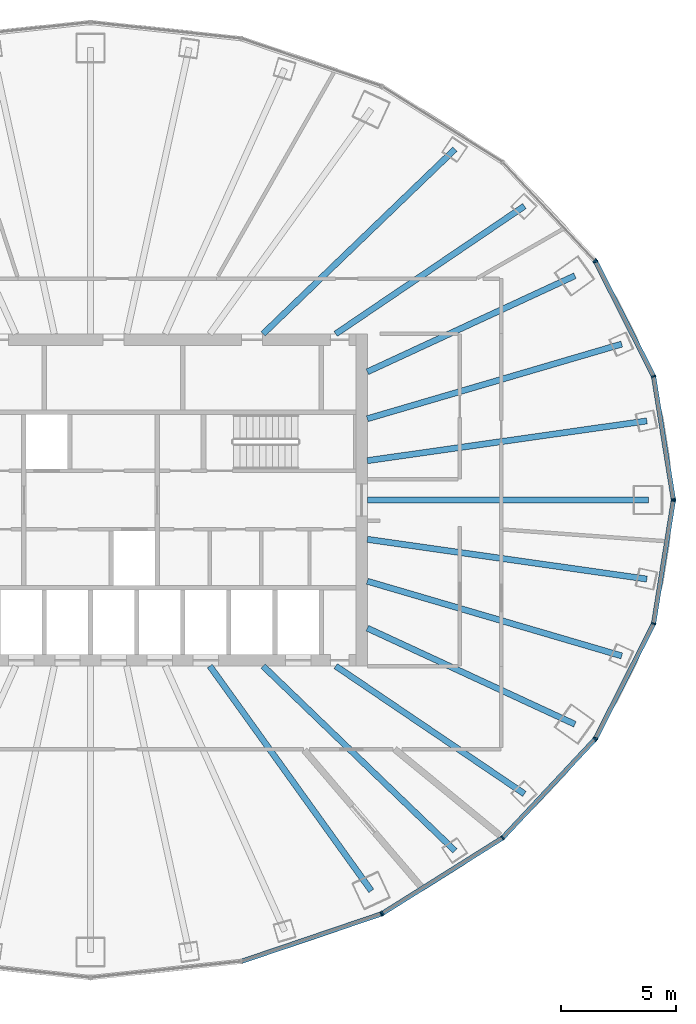
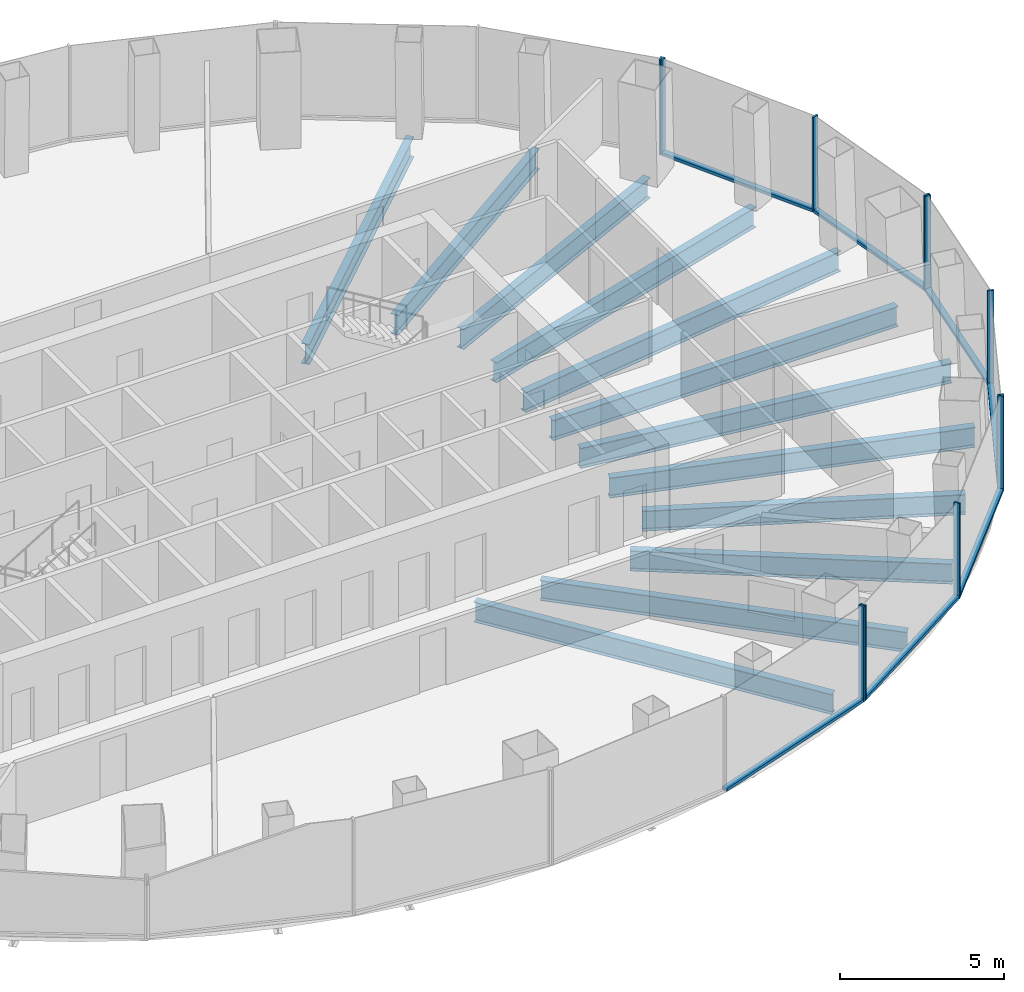
# One storey, part 4 of 11: 18 members, 12 beams, 5 elements without a shape of their own.
"""IFC4 building model written with IfcOpenShell, lengths in metres."""

from ifc_helpers import new_model, si_unit, direction, frame, origin, origin_2d, place, context, subcontext, project, spatial, rectangle, i_section, extrude, material, layer, layer_set, material_profile, profile_set, type_object, element, aggregate, save


model = new_model("IFC4")

# Units and contexts
model_context = context("Model", 3, precision=1e-05, world=origin(), true_north=direction((0.0, 1.0)))
body_context = subcontext(model_context, "Body", "Model", "MODEL_VIEW")
ifc_project = project(units=[si_unit("LENGTHUNIT", "METRE"), si_unit("AREAUNIT", "SQUARE_METRE"), si_unit("VOLUMEUNIT", "CUBIC_METRE"), si_unit("PLANEANGLEUNIT", "RADIAN"), si_unit("MASSUNIT", "GRAM", prefix="KILO")], contexts=[model_context])

# Site, building, storey
site_placement = place(None, origin())
site = spatial("IfcSite", under=ifc_project, at=site_placement, CompositionType="ELEMENT")
building_placement = place(site_placement, origin())
building = spatial("IfcBuilding", under=site, at=building_placement, Name="Siaravel Broadcast Tower", CompositionType="ELEMENT")
storey_placement = place(building_placement, frame((0.0, 0.0, 123.0)))
storey = spatial("IfcBuildingStorey", under=building, at=storey_placement, Name="L29", CompositionType="ELEMENT", Elevation=123.0)

# Beams
ifc_material_1 = material(Name="Steel S355", Category="steel")
ifc_material_profile_1 = material_profile(ifc_material_1, i_section(OverallWidth=0.26513671875, OverallDepth=0.75390625, WebThickness=0.0126953125, FlangeThickness=0.017578125, FilletRadius=0.0166015625, at=origin_2d()))
ifc_profile_set_1 = profile_set([ifc_material_profile_1], Name="Steel S355")
beam_type = type_object("IfcBeamType", Name="BM-UB 762x267x147", PredefinedType="BEAM", material=ifc_profile_set_1)
beam_1_placement = place(storey_placement, frame((24.185302734375, 0.0, -0.52685546875), z_axis=(-1.0, 0.0, 0.0), x_axis=(0.0, -1.0, 0.0)))
element("IfcBeam", 1, at=beam_1_placement, inside=storey, type_object=beam_type, Name="Radial beam RB01", PredefinedType="BEAM", context=body_context, shape_type="SweptSolid", body=[
    extrude(i_section(OverallWidth=0.26513671875, OverallDepth=0.75390625, WebThickness=0.0126953125, FlangeThickness=0.017578125, FilletRadius=0.0166015625, at=origin_2d()), origin(), (0.0, 0.0, 1.0), 12.185302734375),
])
beam_2_placement = place(storey_placement, frame((24.118896484375, 3.427978515625, -0.52685546875), z_axis=(-0.99005056, -0.140712075, 0.0), x_axis=(0.140712075, -0.99005056, 0.0)))
element("IfcBeam", 2, at=beam_2_placement, inside=storey, type_object=beam_type, Name="Radial beam RB02", PredefinedType="BEAM", context=body_context, shape_type="SweptSolid", body=[
    extrude(i_section(OverallWidth=0.26513671875, OverallDepth=0.75390625, WebThickness=0.0126953125, FlangeThickness=0.017578125, FilletRadius=0.0166015625, at=origin_2d()), origin(), (0.0, 0.0, 1.0), 12.24072265625),
])
beam_3_placement = place(storey_placement, frame((23.029296875, 6.7587890625, -0.52685546875), z_axis=(-0.959532411, -0.281598209, 0.0), x_axis=(0.281598209, -0.959532411, 0.0)))
element("IfcBeam", 3, at=beam_3_placement, inside=storey, type_object=beam_type, Name="Radial beam RB03", PredefinedType="BEAM", context=body_context, shape_type="SweptSolid", body=[
    extrude(i_section(OverallWidth=0.26513671875, OverallDepth=0.75390625, WebThickness=0.0126953125, FlangeThickness=0.017578125, FilletRadius=0.0166015625, at=origin_2d()), origin(), (0.0, 0.0, 1.0), 11.494384765625),
])
beam_4_placement = place(storey_placement, frame((20.99853515625, 9.721923828125, -0.52685546875), z_axis=(-0.907465864, -0.420125821, 0.0), x_axis=(0.420125821, -0.907465864, 0.0)))
element("IfcBeam", 4, at=beam_4_placement, inside=storey, type_object=beam_type, Name="Radial beam RB04", PredefinedType="BEAM", context=body_context, shape_type="SweptSolid", body=[
    extrude(i_section(OverallWidth=0.26513671875, OverallDepth=0.75390625, WebThickness=0.0126953125, FlangeThickness=0.017578125, FilletRadius=0.0166015625, at=origin_2d()), origin(), (0.0, 0.0, 1.0), 9.916015625),
])
beam_5_placement = place(storey_placement, frame((18.810791015625, 12.740478515625, -0.52685546875), z_axis=(-0.827967914, -0.560775475, 0.0), x_axis=(0.560775475, -0.827967914, 0.0)))
element("IfcBeam", 5, at=beam_5_placement, inside=storey, type_object=beam_type, Name="Radial beam RB05", PredefinedType="BEAM", context=body_context, shape_type="SweptSolid", body=[
    extrude(i_section(OverallWidth=0.26513671875, OverallDepth=0.75390625, WebThickness=0.0126953125, FlangeThickness=0.017578125, FilletRadius=0.0166015625, at=origin_2d()), origin(), (0.0, 0.0, 1.0), 9.880126953125),
])
beam_6_placement = place(storey_placement, frame((15.7998046875, 15.20654296875, -0.52685546875), z_axis=(-0.720499795, -0.69345515, 0.0), x_axis=(0.69345515, -0.720499795, 0.0)))
element("IfcBeam", 6, at=beam_6_placement, inside=storey, type_object=beam_type, Name="Radial beam RB06", PredefinedType="BEAM", context=body_context, shape_type="SweptSolid", body=[
    extrude(i_section(OverallWidth=0.26513671875, OverallDepth=0.75390625, WebThickness=0.0126953125, FlangeThickness=0.017578125, FilletRadius=0.0166015625, at=origin_2d()), origin(), (0.0, 0.0, 1.0), 11.5458984375),
])
beam_7_placement = place(storey_placement, frame((12.17236328125, -16.942138671875, -0.52685546875), z_axis=(-0.583488425, 0.812121455, 0.0), x_axis=(-0.812121455, -0.583488425, 0.0)))
element("IfcBeam", 7, at=beam_7_placement, inside=storey, type_object=beam_type, Name="Radial beam RB31", PredefinedType="BEAM", context=body_context, shape_type="SweptSolid", body=[
    extrude(i_section(OverallWidth=0.26513671875, OverallDepth=0.75390625, WebThickness=0.0126953125, FlangeThickness=0.017578125, FilletRadius=0.0166015625, at=origin_2d()), origin(), (0.0, 0.0, 1.0), 11.99609375),
])
beam_8_placement = place(storey_placement, frame((15.7998046875, -15.20654296875, -0.52685546875), z_axis=(-0.720499795, 0.69345515, 0.0), x_axis=(-0.69345515, -0.720499795, 0.0)))
element("IfcBeam", 8, at=beam_8_placement, inside=storey, type_object=beam_type, Name="Radial beam RB32", PredefinedType="BEAM", context=body_context, shape_type="SweptSolid", body=[
    extrude(i_section(OverallWidth=0.26513671875, OverallDepth=0.75390625, WebThickness=0.0126953125, FlangeThickness=0.017578125, FilletRadius=0.0166015625, at=origin_2d()), origin(), (0.0, 0.0, 1.0), 11.5458984375),
])
beam_9_placement = place(storey_placement, frame((18.810791015625, -12.740478515625, -0.52685546875), z_axis=(-0.827967914, 0.560775475, 0.0), x_axis=(-0.560775475, -0.827967914, 0.0)))
element("IfcBeam", 9, at=beam_9_placement, inside=storey, type_object=beam_type, Name="Radial beam RB33", PredefinedType="BEAM", context=body_context, shape_type="SweptSolid", body=[
    extrude(i_section(OverallWidth=0.26513671875, OverallDepth=0.75390625, WebThickness=0.0126953125, FlangeThickness=0.017578125, FilletRadius=0.0166015625, at=origin_2d()), origin(), (0.0, 0.0, 1.0), 9.880126953125),
])
beam_10_placement = place(storey_placement, frame((20.99853515625, -9.721923828125, -0.52685546875), z_axis=(-0.907465864, 0.420125821, 0.0), x_axis=(-0.420125821, -0.907465864, 0.0)))
element("IfcBeam", 10, at=beam_10_placement, inside=storey, type_object=beam_type, Name="Radial beam RB34", PredefinedType="BEAM", context=body_context, shape_type="SweptSolid", body=[
    extrude(i_section(OverallWidth=0.26513671875, OverallDepth=0.75390625, WebThickness=0.0126953125, FlangeThickness=0.017578125, FilletRadius=0.0166015625, at=origin_2d()), origin(), (0.0, 0.0, 1.0), 9.916015625),
])
beam_11_placement = place(storey_placement, frame((23.029296875, -6.7587890625, -0.52685546875), z_axis=(-0.959532411, 0.281598209, 0.0), x_axis=(-0.281598209, -0.959532411, 0.0)))
element("IfcBeam", 11, at=beam_11_placement, inside=storey, type_object=beam_type, Name="Radial beam RB35", PredefinedType="BEAM", context=body_context, shape_type="SweptSolid", body=[
    extrude(i_section(OverallWidth=0.26513671875, OverallDepth=0.75390625, WebThickness=0.0126953125, FlangeThickness=0.017578125, FilletRadius=0.0166015625, at=origin_2d()), origin(), (0.0, 0.0, 1.0), 11.494384765625),
])
beam_12_placement = place(storey_placement, frame((24.118896484375, -3.427978515625, -0.52685546875), z_axis=(-0.99005056, 0.140712075, 0.0), x_axis=(-0.140712075, -0.99005056, 0.0)))
element("IfcBeam", 12, at=beam_12_placement, inside=storey, type_object=beam_type, Name="Radial beam RB36", PredefinedType="BEAM", context=body_context, shape_type="SweptSolid", body=[
    extrude(i_section(OverallWidth=0.26513671875, OverallDepth=0.75390625, WebThickness=0.0126953125, FlangeThickness=0.017578125, FilletRadius=0.0166015625, at=origin_2d()), origin(), (0.0, 0.0, 1.0), 12.24072265625),
])

# Curtain wall, members
ifc_material_2 = material(Name="Aluminium 6063-T6", Category="aluminium")
ifc_layer = layer(ifc_material_2, 0.199951171875)
ifc_layer_set = layer_set([ifc_layer], Name="Aluminium 6063-T6")
curtain_wall_type = type_object("IfcCurtainWallType", Name="Unitised curtain wall, zone 2", PredefinedType="NOTDEFINED", material=ifc_layer_set)
curtain_wall_1_placement = place(storey_placement, origin())
curtain_wall_1 = element("IfcCurtainWall", 13, at=curtain_wall_1_placement, inside=storey, type_object=curtain_wall_type, Name="L29 Unitised curtain wall, zone 2 01", PredefinedType="NOTDEFINED")
ifc_material_profile_2 = material_profile(ifc_material_2, rectangle(XDim=0.199951171875, YDim=0.06494140625, at=origin_2d()))
ifc_profile_set_2 = profile_set([ifc_material_profile_2], Name="Aluminium 6063-T6")
member_type_1 = type_object("IfcMemberType", Name="CW-Z2 mullion", PredefinedType="MULLION", material=ifc_profile_set_2)
member_1_placement = place(storey_placement, frame((25.265869140625, 0.031982421875, 0.0), z_axis=(0.0, 0.0, 1.0), x_axis=(-0.987329163, -0.158685611, 0.0)))
member_1 = element("IfcMember", 14, at=member_1_placement, type_object=member_type_1, Name="CW-Z2 mullion 1", PredefinedType="MULLION", context=body_context, shape_type="SweptSolid", body=[
    extrude(rectangle(XDim=0.199951171875, YDim=0.06494140625, at=origin_2d()), origin(), (0.0, 0.0, 1.0), 3.550048828125),
])
member_2_placement = place(storey_placement, frame((24.4091796875, 5.362548828125, 0.0), z_axis=(0.0, 0.0, 1.0), x_axis=(-0.951177162, -0.308645439, 0.0)))
member_2 = element("IfcMember", 15, at=member_2_placement, type_object=member_type_1, Name="CW-Z2 mullion 2", PredefinedType="MULLION", context=body_context, shape_type="SweptSolid", body=[
    extrude(rectangle(XDim=0.199951171875, YDim=0.06494140625, at=origin_2d()), origin(), (0.0, 0.0, 1.0), 3.550048828125),
])
member_3_placement = place(storey_placement, frame((21.897705078125, 10.329345703125, 0.0), z_axis=(0.0, 0.0, 1.0), x_axis=(-0.892391979, -0.451261073, 0.0)))
member_3 = element("IfcMember", 16, at=member_3_placement, type_object=member_type_1, Name="CW-Z2 mullion 3", PredefinedType="MULLION", context=body_context, shape_type="SweptSolid", body=[
    extrude(rectangle(XDim=0.199951171875, YDim=0.06494140625, at=origin_2d()), origin(), (0.0, 0.0, 1.0), 3.550048828125),
])

# Curtain wall, member
curtain_wall_2_placement = place(storey_placement, origin())
curtain_wall_2 = element("IfcCurtainWall", 17, at=curtain_wall_2_placement, inside=storey, type_object=curtain_wall_type, Name="L29 Unitised curtain wall, zone 2 02", PredefinedType="NOTDEFINED")
member_4_placement = place(storey_placement, frame((21.86083984375, 10.382080078125, 0.0), z_axis=(0.0, 0.0, 1.0), x_axis=(-0.729805105, -0.683655256, 0.0)))
member_4 = element("IfcMember", 18, at=member_4_placement, type_object=member_type_1, Name="CW-Z2 mullion 1", PredefinedType="MULLION", context=body_context, shape_type="SweptSolid", body=[
    extrude(rectangle(XDim=0.199951171875, YDim=0.06494140625, at=origin_2d()), origin(), (0.0, 0.0, 1.0), 3.550048828125),
])
aggregate(curtain_wall_2, [member_4])

curtain_wall_3_placement = place(storey_placement, origin())
curtain_wall_3 = element("IfcCurtainWall", 19, at=curtain_wall_3_placement, inside=storey, type_object=curtain_wall_type, Name="L29 Unitised curtain wall, zone 2 10", PredefinedType="NOTDEFINED")
member_5_placement = place(storey_placement, frame((12.60107421875, -17.94677734375, 0.0), z_axis=(0.0, 0.0, 1.0), x_axis=(-0.321300596, 0.946977258, 0.0)))
member_5 = element("IfcMember", 20, at=member_5_placement, type_object=member_type_1, Name="CW-Z2 mullion 3", PredefinedType="MULLION", context=body_context, shape_type="SweptSolid", body=[
    extrude(rectangle(XDim=0.199951171875, YDim=0.06494140625, at=origin_2d()), origin(), (0.0, 0.0, 1.0), 3.550048828125),
])

# Curtain wall, members
curtain_wall_4_placement = place(storey_placement, origin())
curtain_wall_4 = element("IfcCurtainWall", 21, at=curtain_wall_4_placement, inside=storey, type_object=curtain_wall_type, Name="L29 Unitised curtain wall, zone 2 11", PredefinedType="NOTDEFINED")
member_6_placement = place(storey_placement, frame((12.659423828125, -17.9189453125, 0.0), z_axis=(0.0, 0.0, 1.0), x_axis=(-0.532149141, 0.846650632, 0.0)))
member_6 = element("IfcMember", 22, at=member_6_placement, type_object=member_type_1, Name="CW-Z2 mullion 1", PredefinedType="MULLION", context=body_context, shape_type="SweptSolid", body=[
    extrude(rectangle(XDim=0.199951171875, YDim=0.06494140625, at=origin_2d()), origin(), (0.0, 0.0, 1.0), 3.550048828125),
])
member_7_placement = place(storey_placement, frame((17.86572265625, -14.646728515625, 0.0), z_axis=(0.0, 0.0, 1.0), x_axis=(-0.636218518, 0.771508909, 0.0)))
member_7 = element("IfcMember", 23, at=member_7_placement, type_object=member_type_1, Name="CW-Z2 mullion 2", PredefinedType="MULLION", context=body_context, shape_type="SweptSolid", body=[
    extrude(rectangle(XDim=0.199951171875, YDim=0.06494140625, at=origin_2d()), origin(), (0.0, 0.0, 1.0), 3.550048828125),
])
member_8_placement = place(storey_placement, frame((21.86083984375, -10.382080078125, 0.0), z_axis=(0.0, 0.0, 1.0), x_axis=(-0.729805105, 0.683655256, 0.0)))
member_8 = element("IfcMember", 24, at=member_8_placement, type_object=member_type_1, Name="CW-Z2 mullion 3", PredefinedType="MULLION", context=body_context, shape_type="SweptSolid", body=[
    extrude(rectangle(XDim=0.199951171875, YDim=0.06494140625, at=origin_2d()), origin(), (0.0, 0.0, 1.0), 3.550048828125),
])

curtain_wall_5_placement = place(storey_placement, origin())
curtain_wall_5 = element("IfcCurtainWall", 25, at=curtain_wall_5_placement, inside=storey, type_object=curtain_wall_type, Name="L29 Unitised curtain wall, zone 2 12", PredefinedType="NOTDEFINED")
member_9_placement = place(storey_placement, frame((21.897705078125, -10.329345703125, 0.0), z_axis=(0.0, 0.0, 1.0), x_axis=(-0.892391979, 0.451261073, 0.0)))
member_9 = element("IfcMember", 26, at=member_9_placement, type_object=member_type_1, Name="CW-Z2 mullion 1", PredefinedType="MULLION", context=body_context, shape_type="SweptSolid", body=[
    extrude(rectangle(XDim=0.199951171875, YDim=0.06494140625, at=origin_2d()), origin(), (0.0, 0.0, 1.0), 3.550048828125),
])
member_10_placement = place(storey_placement, frame((24.4091796875, -5.362548828125, 0.0), z_axis=(0.0, 0.0, 1.0), x_axis=(-0.951177162, 0.308645439, 0.0)))
member_10 = element("IfcMember", 27, at=member_10_placement, type_object=member_type_1, Name="CW-Z2 mullion 2", PredefinedType="MULLION", context=body_context, shape_type="SweptSolid", body=[
    extrude(rectangle(XDim=0.199951171875, YDim=0.06494140625, at=origin_2d()), origin(), (0.0, 0.0, 1.0), 3.550048828125),
])
member_11_placement = place(storey_placement, frame((25.265869140625, -0.031982421875, 0.0), z_axis=(0.0, 0.0, 1.0), x_axis=(-0.987329163, 0.158685611, 0.0)))
member_11 = element("IfcMember", 28, at=member_11_placement, type_object=member_type_1, Name="CW-Z2 mullion 3", PredefinedType="MULLION", context=body_context, shape_type="SweptSolid", body=[
    extrude(rectangle(XDim=0.199951171875, YDim=0.06494140625, at=origin_2d()), origin(), (0.0, 0.0, 1.0), 3.550048828125),
])

# Member
ifc_material_profile_3 = material_profile(ifc_material_2, rectangle(XDim=0.199951171875, YDim=0.110107421875, at=origin_2d()))
ifc_profile_set_3 = profile_set([ifc_material_profile_3], Name="Aluminium 6063-T6")
member_type_2 = type_object("IfcMemberType", Name="CW-Z2 transom", PredefinedType="USERDEFINED", material=ifc_profile_set_3)
member_12_placement = place(storey_placement, frame((25.2607421875, 0.064208984375, 0.054931640625), z_axis=(-0.158695625, 0.987327554, 0.0), x_axis=(-0.987327554, -0.158695625, 0.0)))
member_12 = element("IfcMember", 29, at=member_12_placement, type_object=member_type_2, Name="CW-Z2 transom 1", ObjectType="TRANSOM", PredefinedType="USERDEFINED", context=body_context, shape_type="SweptSolid", body=[
    extrude(rectangle(XDim=0.199951171875, YDim=0.110107421875, at=origin_2d()), origin(), (0.0, 0.0, 1.0), 5.333740234375),
])

member_13_placement = place(storey_placement, frame((24.39453125, 5.3916015625, 0.054931640625), z_axis=(-0.451256879, 0.8923941, 0.0), x_axis=(-0.8923941, -0.451256879, 0.0)))
member_13 = element("IfcMember", 30, at=member_13_placement, type_object=member_type_2, Name="CW-Z2 transom 2", ObjectType="TRANSOM", PredefinedType="USERDEFINED", context=body_context, shape_type="SweptSolid", body=[
    extrude(rectangle(XDim=0.199951171875, YDim=0.110107421875, at=origin_2d()), origin(), (0.0, 0.0, 1.0), 5.50048828125),
])

aggregate(curtain_wall_1, [member_1, member_2, member_3, member_12, member_13])

member_14_placement = place(storey_placement, frame((6.569091796875, -19.993408203125, 0.054931640625), z_axis=(0.946978491, 0.321296962, 0.0), x_axis=(-0.321296962, 0.946978491, 0.0)))
member_14 = element("IfcMember", 31, at=member_14_placement, type_object=member_type_2, Name="CW-Z2 transom 2", ObjectType="TRANSOM", PredefinedType="USERDEFINED", context=body_context, shape_type="SweptSolid", body=[
    extrude(rectangle(XDim=0.199951171875, YDim=0.110107421875, at=origin_2d()), origin(), (0.0, 0.0, 1.0), 6.337158203125),
])

aggregate(curtain_wall_3, [member_5, member_14])

member_15_placement = place(storey_placement, frame((12.68701171875, -17.901611328125, 0.054931640625), z_axis=(0.846658761, 0.532136207, 0.0), x_axis=(-0.532136207, 0.846658761, 0.0)))
member_15 = element("IfcMember", 32, at=member_15_placement, type_object=member_type_2, Name="CW-Z2 transom 1", ObjectType="TRANSOM", PredefinedType="USERDEFINED", context=body_context, shape_type="SweptSolid", body=[
    extrude(rectangle(XDim=0.199951171875, YDim=0.110107421875, at=origin_2d()), origin(), (0.0, 0.0, 1.0), 6.083984375),
])

member_16_placement = place(storey_placement, frame((17.887939453125, -14.623046875, 0.054931640625), z_axis=(0.683640317, 0.729819099, 0.0), x_axis=(-0.729819099, 0.683640317, 0.0)))
member_16 = element("IfcMember", 33, at=member_16_placement, type_object=member_type_2, Name="CW-Z2 transom 2", ObjectType="TRANSOM", PredefinedType="USERDEFINED", context=body_context, shape_type="SweptSolid", body=[
    extrude(rectangle(XDim=0.199951171875, YDim=0.110107421875, at=origin_2d()), origin(), (0.0, 0.0, 1.0), 5.778564453125),
])

aggregate(curtain_wall_4, [member_6, member_7, member_8, member_15, member_16])

member_17_placement = place(storey_placement, frame((21.912353515625, -10.30029296875, 0.054931640625), z_axis=(0.451256879, 0.8923941, 0.0), x_axis=(-0.8923941, 0.451256879, 0.0)))
member_17 = element("IfcMember", 34, at=member_17_placement, type_object=member_type_2, Name="CW-Z2 transom 1", ObjectType="TRANSOM", PredefinedType="USERDEFINED", context=body_context, shape_type="SweptSolid", body=[
    extrude(rectangle(XDim=0.199951171875, YDim=0.110107421875, at=origin_2d()), origin(), (0.0, 0.0, 1.0), 5.50048828125),
])

member_18_placement = place(storey_placement, frame((24.414306640625, -5.330322265625, 0.054931640625), z_axis=(0.158695625, 0.987327554, 0.0), x_axis=(-0.987327554, 0.158695625, 0.0)))
member_18 = element("IfcMember", 35, at=member_18_placement, type_object=member_type_2, Name="CW-Z2 transom 2", ObjectType="TRANSOM", PredefinedType="USERDEFINED", context=body_context, shape_type="SweptSolid", body=[
    extrude(rectangle(XDim=0.199951171875, YDim=0.110107421875, at=origin_2d()), origin(), (0.0, 0.0, 1.0), 5.333740234375),
])

aggregate(curtain_wall_5, [member_9, member_10, member_11, member_17, member_18])

save(model, "model.ifc")
